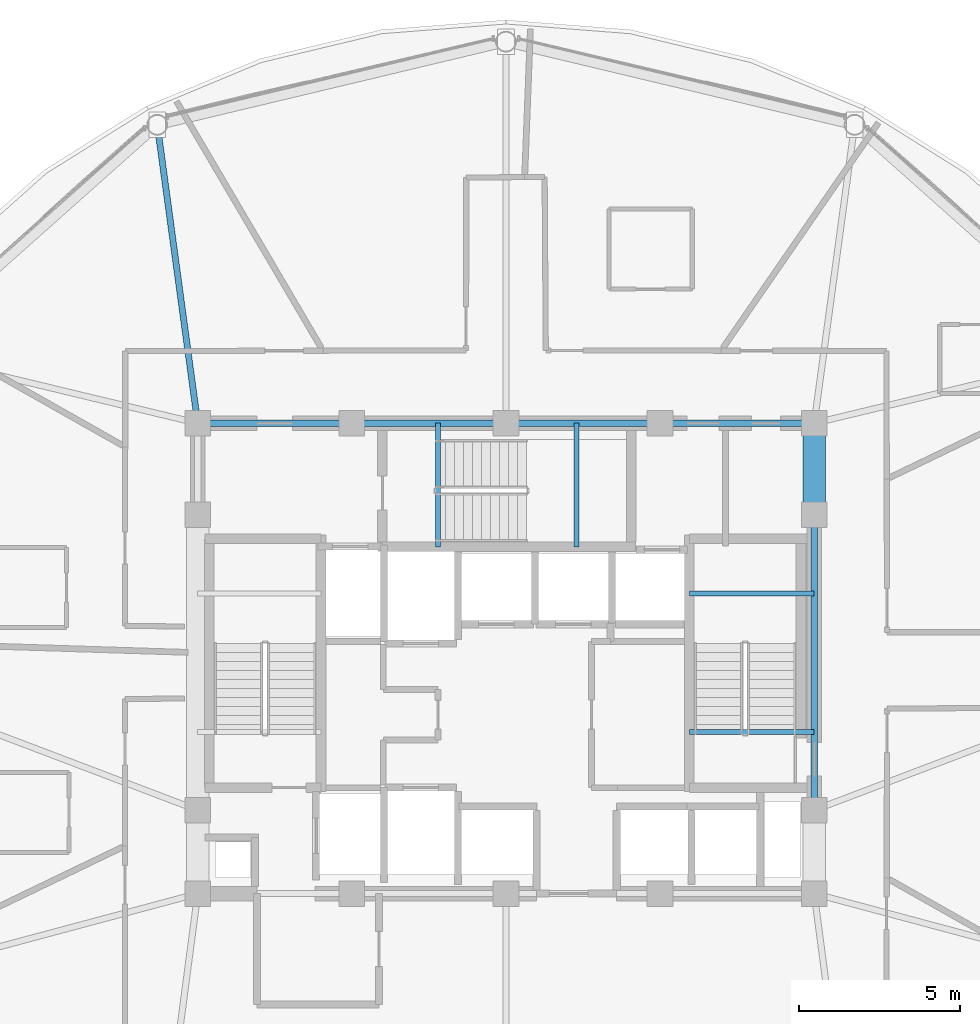
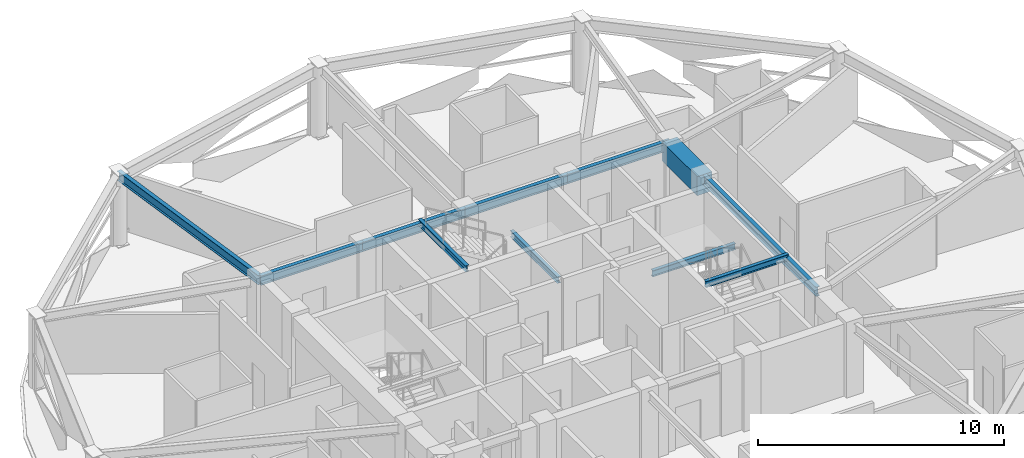
# One storey, part 10 of 28: 11 beams.
"""IFC4 building model written with IfcOpenShell, lengths in metres."""

from ifc_helpers import new_model, si_unit, direction, frame, origin, origin_2d, place, context, subcontext, project, spatial, rectangle, i_section, extrude, material, material_profile, profile_set, type_object, element, save


model = new_model("IFC4")

# Units and contexts
model_context = context("Model", 3, precision=1e-05, world=origin(), true_north=direction((0.0, 1.0)))
body_context = subcontext(model_context, "Body", "Model", "MODEL_VIEW")
ifc_project = project(units=[si_unit("LENGTHUNIT", "METRE"), si_unit("AREAUNIT", "SQUARE_METRE"), si_unit("VOLUMEUNIT", "CUBIC_METRE"), si_unit("PLANEANGLEUNIT", "RADIAN"), si_unit("MASSUNIT", "GRAM", prefix="KILO")], contexts=[model_context])

# Site, building, storey
site_placement = place(None, origin())
site = spatial("IfcSite", under=ifc_project, at=site_placement, CompositionType="ELEMENT")
building_placement = place(site_placement, origin())
building = spatial("IfcBuilding", under=site, at=building_placement, Name="Vantalir Tower", CompositionType="ELEMENT")
storey_placement = place(building_placement, frame((0.0, 0.0, 238.64990234375)))
storey = spatial("IfcBuildingStorey", under=building, at=storey_placement, Name="L60", CompositionType="ELEMENT", Elevation=238.64990234375)

# Beams
ifc_material_1 = material(Name="Concrete C60/75", Category="concrete")
ifc_material_profile_1 = material_profile(ifc_material_1, rectangle(XDim=0.699951171875, YDim=0.949951171875, at=origin_2d()), Name="Concrete C60/75")
ifc_profile_set_1 = profile_set([ifc_material_profile_1], Name="Concrete C60/75")
beam_type_1 = type_object("IfcBeamType", Name="BM-CB-700x950", PredefinedType="USERDEFINED", material=ifc_profile_set_1)
beam_1_placement = place(storey_placement, frame((41.10009765625, 29.60009765625, 3.09521484375), z_axis=(0.0, 1.0, 0.0), x_axis=(-1.0, 0.0, 0.0)))
element("IfcBeam", 1, at=beam_1_placement, inside=storey, type_object=beam_type_1, Name="L60 Core Coupling Girder 07", ObjectType="GIRDER", PredefinedType="USERDEFINED", context=body_context, shape_type="SweptSolid", body=[
    extrude(rectangle(XDim=0.699951171875, YDim=0.949951171875, at=origin_2d()), origin(), (0.0, 0.0, 1.0), 2.849853515625),
])
ifc_material_2 = material(Name="Steel S355", Category="steel")
ifc_material_profile_2 = material_profile(ifc_material_2, i_section(OverallWidth=0.166015625, OverallDepth=0.306884765625, WebThickness=0.006591796875, FlangeThickness=0.01171875, at=origin_2d()), Name="Steel S355")
ifc_profile_set_2 = profile_set([ifc_material_profile_2], Name="Steel S355")
beam_type_2 = type_object("IfcBeamType", Name="BM-JS-305x165", PredefinedType="JOIST", material=ifc_profile_set_2)
for number, where, z_axis, x_axis, name in (
    (2, (37.2099609375, 22.8349609375, 3.59619140625), (1.0, 0.0, 0.0), (0.0, 1.0, 0.0), "L61 Stair ST2 Well Nosing Trimmer Beam"),
    (3, (37.2099609375, 27.14501953125, 1.52099609375), (1.0, 0.0, 0.0), (0.0, 1.0, 0.0), "L60 Stair ST2 Half-Landing Support Beam"),
):
    element("IfcBeam", number, at=place(storey_placement, frame(where, z_axis=z_axis, x_axis=x_axis)), inside=storey, type_object=beam_type_2, Name=name, PredefinedType="JOIST", context=body_context, shape_type="SweptSolid", body=[
        extrude(i_section(OverallWidth=0.166015625, OverallDepth=0.306884765625, WebThickness=0.006591796875, FlangeThickness=0.01171875, at=origin_2d()), origin(), (0.0, 0.0, 1.0), 3.89013671875),
    ])
for number, where, z_axis, x_axis, name in (
    (4, (29.385009765625, 28.60009765625, 3.59619140625), (0.0, 1.0, 0.0), (-1.0, 0.0, 0.0), "L61 Stair ST3 Well Nosing Trimmer Beam"),
    (5, (33.695068359375, 28.60009765625, 1.52099609375), (0.0, 1.0, 0.0), (-1.0, 0.0, 0.0), "L60 Stair ST3 Half-Landing Support Beam"),
):
    element("IfcBeam", number, at=place(storey_placement, frame(where, z_axis=z_axis, x_axis=x_axis)), inside=storey, type_object=beam_type_2, Name=name, PredefinedType="JOIST", context=body_context, shape_type="SweptSolid", body=[
        extrude(i_section(OverallWidth=0.166015625, OverallDepth=0.306884765625, WebThickness=0.006591796875, FlangeThickness=0.01171875, at=origin_2d()), origin(), (0.0, 0.0, 1.0), 3.849853515625),
    ])
ifc_material_profile_3 = material_profile(ifc_material_2, i_section(OverallWidth=0.19189453125, OverallDepth=0.462890625, WebThickness=0.010498046875, FlangeThickness=0.017578125, at=origin_2d()), Name="Steel S355")
ifc_profile_set_3 = profile_set([ifc_material_profile_3], Name="Steel S355")
beam_type_3 = type_object("IfcBeamType", Name="BM-RB-457x191", PredefinedType="BEAM", material=ifc_profile_set_3)
beam_2_placement = place(storey_placement, frame((41.10009765625, 20.39990234375, 3.338134765625), z_axis=(0.0, 1.0, 0.0), x_axis=(-1.0, 0.0, 0.0)))
element("IfcBeam", 6, at=beam_2_placement, inside=storey, type_object=beam_type_3, Name="L60 Core Coupling Girder 06", PredefinedType="BEAM", context=body_context, shape_type="SweptSolid", body=[
    extrude(i_section(OverallWidth=0.19189453125, OverallDepth=0.462890625, WebThickness=0.010498046875, FlangeThickness=0.017578125, at=origin_2d()), origin(), (0.0, 0.0, 1.0), 9.2001953125),
])
for number, where, z_axis, x_axis, name in (
    (7, (41.10009765625, 32.449951171875, 3.338134765625), (-1.0, 0.0, 0.0), (0.0, -1.0, 0.0), "L60 Core Coupling Girder 08"),
    (8, (36.300048828125, 32.449951171875, 3.338134765625), (-1.0, 0.0, 0.0), (0.0, -1.0, 0.0), "L60 Core Coupling Girder 09"),
    (9, (31.5, 32.449951171875, 3.338134765625), (-1.0, 0.0, 0.0), (0.0, -1.0, 0.0), "L60 Core Coupling Girder 10"),
    (10, (26.699951171875, 32.449951171875, 3.338134765625), (-1.0, 0.0, 0.0), (0.0, -1.0, 0.0), "L60 Core Coupling Girder 11"),
):
    element("IfcBeam", number, at=place(storey_placement, frame(where, z_axis=z_axis, x_axis=x_axis)), inside=storey, type_object=beam_type_3, Name=name, PredefinedType="BEAM", context=body_context, shape_type="SweptSolid", body=[
        extrude(i_section(OverallWidth=0.19189453125, OverallDepth=0.462890625, WebThickness=0.010498046875, FlangeThickness=0.017578125, at=origin_2d()), origin(), (0.0, 0.0, 1.0), 4.800048828125),
    ])
beam_3_placement = place(storey_placement, frame((20.64111328125, 41.742919921875, 3.338134765625), z_axis=(0.134230220125, -0.99095017433, 0.0), x_axis=(0.99095017433, 0.134230220125, 0.0)))
element("IfcBeam", 11, at=beam_3_placement, inside=storey, type_object=beam_type_3, Name="L60 Radial Floor Beam 05", PredefinedType="BEAM", context=body_context, shape_type="SweptSolid", body=[
    extrude(i_section(OverallWidth=0.19189453125, OverallDepth=0.462890625, WebThickness=0.010498046875, FlangeThickness=0.017578125, at=origin_2d()), origin(), (0.0, 0.0, 1.0), 9.3779296875),
])

save(model, "model.ifc")
